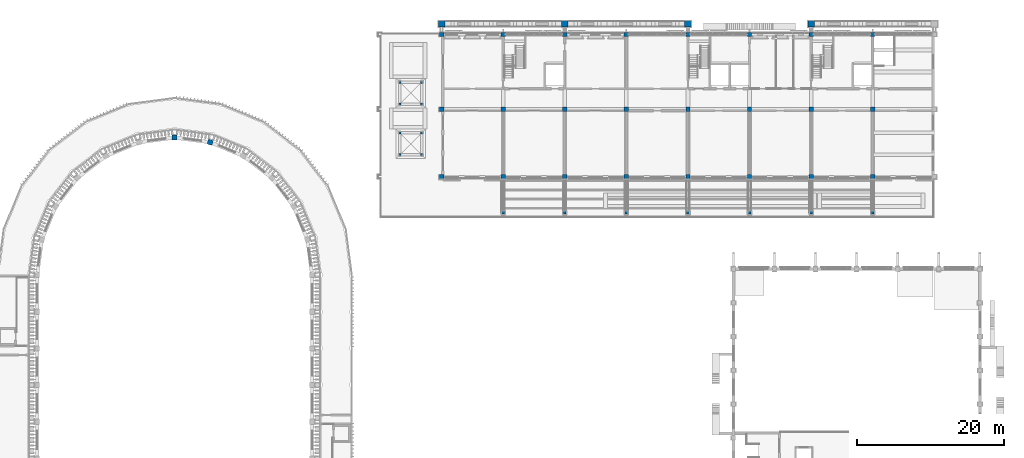
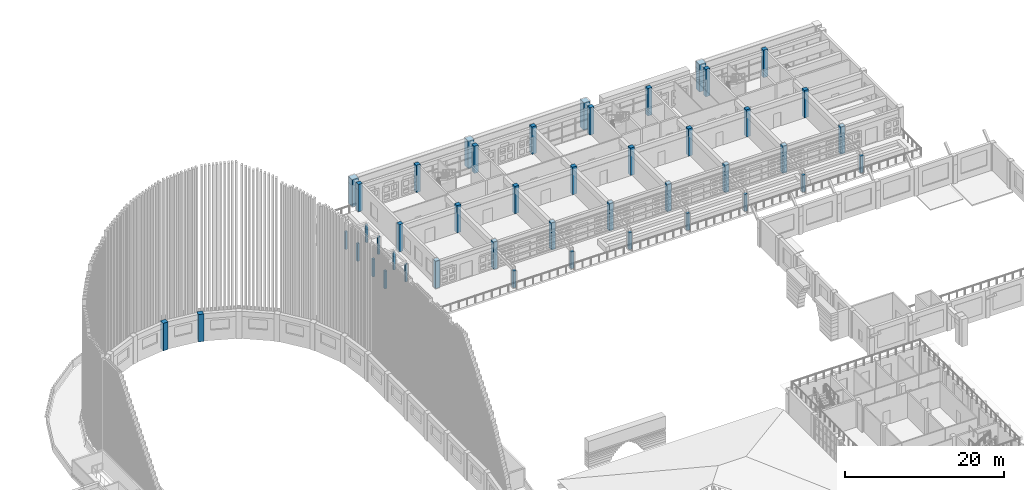
# One storey, part 2 of 68: 45 columns.
"""IFC4 building model written with IfcOpenShell, lengths in metres."""

from ifc_helpers import new_model, si_unit, direction, frame, origin, origin_2d, place, context, subcontext, project, spatial, rectangle, extrude, material, material_profile, profile_set, type_object, element, save


model = new_model("IFC4")

# Units and contexts
model_context = context("Model", 3, precision=1e-05, world=origin(), true_north=direction((0.0, 1.0)))
body_context = subcontext(model_context, "Body", "Model", "MODEL_VIEW")
ifc_project = project(units=[si_unit("LENGTHUNIT", "METRE"), si_unit("AREAUNIT", "SQUARE_METRE"), si_unit("VOLUMEUNIT", "CUBIC_METRE"), si_unit("PLANEANGLEUNIT", "RADIAN"), si_unit("MASSUNIT", "GRAM", prefix="KILO")], contexts=[model_context])

# Site, building, storey
site_placement = place(None, origin())
site = spatial("IfcSite", under=ifc_project, at=site_placement, CompositionType="ELEMENT")
building_placement = place(site_placement, origin())
building = spatial("IfcBuilding", under=site, at=building_placement, Name="Wasatch Bagh Community Centre", CompositionType="ELEMENT")
storey_placement = place(building_placement, frame((0.0, 0.0, 8.39990234375)))
storey = spatial("IfcBuildingStorey", under=building, at=storey_placement, Name="L02", CompositionType="ELEMENT", Elevation=8.39990234375)

# Columns
ifc_material_1 = material(Name="Concrete C40", Category="concrete")
ifc_material_profile_1 = material_profile(ifc_material_1, rectangle(XDim=0.89990234375, YDim=0.89990234375, at=origin_2d()), Name="RC 900x900")
ifc_profile_set_1 = profile_set([ifc_material_profile_1], Name="Concrete C40")
column_type_1 = type_object("IfcColumnType", Name="CL-P1", PredefinedType="COLUMN", material=ifc_profile_set_1)
for number, where, z_axis, x_axis, name in (
    (1, (72.39990234375, 99.25, 0.0), (0.0, 0.0, 1.0), (1.0, 0.0, 0.0), "CL-P1 pier LWP02"),
    (2, (89.199951171875, 99.25, 0.0), (0.0, 0.0, 1.0), (1.0, 0.0, 0.0), "CL-P1 pier LWP03"),
    (3, (106.0, 99.25, 0.0), (0.0, 0.0, 1.0), (1.0, 0.0, 0.0), "CL-P1 pier LWP04"),
    (4, (122.800048828125, 99.25, 0.0), (0.0, 0.0, 1.0), (1.0, 0.0, 0.0), "CL-P1 pier LWP05"),
):
    element("IfcColumn", number, at=place(storey_placement, frame(where, z_axis=z_axis, x_axis=x_axis)), inside=storey, type_object=column_type_1, Name=name, PredefinedType="COLUMN", context=body_context, shape_type="SweptSolid", body=[
        extrude(rectangle(XDim=0.89990234375, YDim=0.89990234375, at=origin_2d()), origin(), (0.0, 0.0, 1.0), 4.2001953125),
    ])
ifc_material_profile_2 = material_profile(ifc_material_1, rectangle(XDim=0.39990234375, YDim=0.39990234375, at=origin_2d()), Name="RC 400x400")
ifc_profile_set_2 = profile_set([ifc_material_profile_2], Name="Concrete C40")
column_type_2 = type_object("IfcColumnType", Name="LW RC 400x400", PredefinedType="COLUMN", material=ifc_profile_set_2)
for number, where, z_axis, x_axis, name in (
    (5, (80.800048828125, 73.5, 0.0), (0.0, 0.0, 1.0), (1.0, 0.0, 0.0), "Pergola post T2"),
    (6, (89.199951171875, 73.5, 0.0), (0.0, 0.0, 1.0), (1.0, 0.0, 0.0), "Pergola post T2"),
    (7, (97.60009765625, 73.5, 0.0), (0.0, 0.0, 1.0), (1.0, 0.0, 0.0), "Pergola post T2"),
    (8, (106.0, 73.5, 0.0), (0.0, 0.0, 1.0), (1.0, 0.0, 0.0), "Pergola post T2"),
    (9, (114.39990234375, 73.5, 0.0), (0.0, 0.0, 1.0), (1.0, 0.0, 0.0), "Pergola post T2"),
    (10, (122.800048828125, 73.5, 0.0), (0.0, 0.0, 1.0), (1.0, 0.0, 0.0), "Pergola post T2"),
    (11, (131.199951171875, 73.5, 0.0), (0.0, 0.0, 1.0), (1.0, 0.0, 0.0), "Pergola post T2"),
):
    element("IfcColumn", number, at=place(storey_placement, frame(where, z_axis=z_axis, x_axis=x_axis)), inside=storey, type_object=column_type_2, Name=name, PredefinedType="COLUMN", context=body_context, shape_type="SweptSolid", body=[
        extrude(rectangle(XDim=0.39990234375, YDim=0.39990234375, at=origin_2d()), origin(), (0.0, 0.0, 1.0), 2.60009765625),
    ])
ifc_material_profile_3 = material_profile(ifc_material_1, rectangle(XDim=0.60009765625, YDim=0.60009765625, at=origin_2d()), Name="RC 600x600")
ifc_profile_set_3 = profile_set([ifc_material_profile_3], Name="Concrete C40")
column_type_3 = type_object("IfcColumnType", Name="LW RC 600x600", PredefinedType="COLUMN", material=ifc_profile_set_3)
for number, where, z_axis, x_axis, name in (
    (12, (72.39990234375, 87.60009765625, 0.0), (0.0, 0.0, 1.0), (1.0, 0.0, 0.0), "W2M"),
    (13, (80.800048828125, 87.60009765625, 0.0), (0.0, 0.0, 1.0), (1.0, 0.0, 0.0), "W3M"),
    (14, (89.199951171875, 87.60009765625, 0.0), (0.0, 0.0, 1.0), (1.0, 0.0, 0.0), "W4M"),
    (15, (97.60009765625, 87.60009765625, 0.0), (0.0, 0.0, 1.0), (1.0, 0.0, 0.0), "W5M"),
    (16, (106.0, 87.60009765625, 0.0), (0.0, 0.0, 1.0), (1.0, 0.0, 0.0), "W6M"),
    (17, (114.39990234375, 87.60009765625, 0.0), (0.0, 0.0, 1.0), (1.0, 0.0, 0.0), "W7M"),
    (18, (122.800048828125, 87.60009765625, 0.0), (0.0, 0.0, 1.0), (1.0, 0.0, 0.0), "W8M"),
    (19, (131.199951171875, 87.60009765625, 0.0), (0.0, 0.0, 1.0), (1.0, 0.0, 0.0), "W9M"),
    (20, (72.39990234375, 97.800048828125, 0.0), (0.0, 0.0, 1.0), (1.0, 0.0, 0.0), "W2N"),
    (21, (80.800048828125, 97.800048828125, 0.0), (0.0, 0.0, 1.0), (1.0, 0.0, 0.0), "W3N"),
    (22, (89.199951171875, 97.800048828125, 0.0), (0.0, 0.0, 1.0), (1.0, 0.0, 0.0), "W4N"),
    (23, (97.60009765625, 97.800048828125, 0.0), (0.0, 0.0, 1.0), (1.0, 0.0, 0.0), "W5N"),
    (24, (106.0, 97.800048828125, 0.0), (0.0, 0.0, 1.0), (1.0, 0.0, 0.0), "W6N"),
    (25, (114.39990234375, 97.800048828125, 0.0), (0.0, 0.0, 1.0), (1.0, 0.0, 0.0), "W7N"),
    (26, (122.800048828125, 97.800048828125, 0.0), (0.0, 0.0, 1.0), (1.0, 0.0, 0.0), "W8N"),
    (27, (131.199951171875, 97.800048828125, 0.0), (0.0, 0.0, 1.0), (1.0, 0.0, 0.0), "W9N"),
    (28, (72.39990234375, 78.39990234375, 0.0), (0.0, 0.0, 1.0), (1.0, 0.0, 0.0), "W2S"),
    (29, (80.800048828125, 78.39990234375, 0.0), (0.0, 0.0, 1.0), (1.0, 0.0, 0.0), "W3S"),
    (30, (89.199951171875, 78.39990234375, 0.0), (0.0, 0.0, 1.0), (1.0, 0.0, 0.0), "W4S"),
    (31, (97.60009765625, 78.39990234375, 0.0), (0.0, 0.0, 1.0), (1.0, 0.0, 0.0), "W5S"),
    (32, (106.0, 78.39990234375, 0.0), (0.0, 0.0, 1.0), (1.0, 0.0, 0.0), "W6S"),
    (33, (114.39990234375, 78.39990234375, 0.0), (0.0, 0.0, 1.0), (1.0, 0.0, 0.0), "W7S"),
    (34, (122.800048828125, 78.39990234375, 0.0), (0.0, 0.0, 1.0), (1.0, 0.0, 0.0), "W8S"),
    (35, (131.199951171875, 78.39990234375, 0.0), (0.0, 0.0, 1.0), (1.0, 0.0, 0.0), "W9S"),
):
    element("IfcColumn", number, at=place(storey_placement, frame(where, z_axis=z_axis, x_axis=x_axis)), inside=storey, type_object=column_type_3, Name=name, PredefinedType="COLUMN", context=body_context, shape_type="SweptSolid", body=[
        extrude(rectangle(XDim=0.60009765625, YDim=0.60009765625, at=origin_2d()), origin(), (0.0, 0.0, 1.0), 4.2001953125),
    ])
ifc_material_2 = material(Name="Concrete C35", Category="concrete")
ifc_material_profile_4 = material_profile(ifc_material_2, rectangle(XDim=0.300048828125, YDim=0.300048828125, at=origin_2d()), Name="RC 300x300")
ifc_profile_set_4 = profile_set([ifc_material_profile_4], Name="Concrete C35")
column_type_4 = type_object("IfcColumnType", Name="LW pavilion column 300", PredefinedType="COLUMN", material=ifc_profile_set_4)
for number, where, z_axis, x_axis, name in (
    (36, (66.699951171875, 81.39990234375, 0.0), (0.0, 0.0, 1.0), (1.0, 0.0, 0.0), "Shade pavilion 1 column"),
    (37, (66.699951171875, 84.39990234375, 0.0), (0.0, 0.0, 1.0), (1.0, 0.0, 0.0), "Shade pavilion 1 column"),
    (38, (69.699951171875, 81.39990234375, 0.0), (0.0, 0.0, 1.0), (1.0, 0.0, 0.0), "Shade pavilion 1 column"),
    (39, (69.699951171875, 84.39990234375, 0.0), (0.0, 0.0, 1.0), (1.0, 0.0, 0.0), "Shade pavilion 1 column"),
    (40, (66.699951171875, 88.300048828125, 0.0), (0.0, 0.0, 1.0), (1.0, 0.0, 0.0), "Shade pavilion 2 column"),
    (41, (66.699951171875, 91.300048828125, 0.0), (0.0, 0.0, 1.0), (1.0, 0.0, 0.0), "Shade pavilion 2 column"),
    (42, (69.699951171875, 88.300048828125, 0.0), (0.0, 0.0, 1.0), (1.0, 0.0, 0.0), "Shade pavilion 2 column"),
    (43, (69.699951171875, 91.300048828125, 0.0), (0.0, 0.0, 1.0), (1.0, 0.0, 0.0), "Shade pavilion 2 column"),
):
    element("IfcColumn", number, at=place(storey_placement, frame(where, z_axis=z_axis, x_axis=x_axis)), inside=storey, type_object=column_type_4, Name=name, PredefinedType="COLUMN", context=body_context, shape_type="SweptSolid", body=[
        extrude(rectangle(XDim=0.300048828125, YDim=0.300048828125, at=origin_2d()), origin(), (0.0, 0.0, 1.0), 2.7001953125),
    ])
ifc_material_profile_5 = material_profile(ifc_material_1, rectangle(XDim=0.699951171875, YDim=0.699951171875, at=origin_2d()), Name="RC 700x700")
ifc_profile_set_5 = profile_set([ifc_material_profile_5], Name="Concrete C40")
column_type_5 = type_object("IfcColumnType", Name="MH column RC 700x700", PredefinedType="COLUMN", material=ifc_profile_set_5)
for number, where, z_axis, x_axis, name in (
    (44, (40.852783203125, 83.111083984375, 0.0), (0.0, 0.0, 1.0), (0.258819045103, 0.965925826289, 0.0), "Column N5"),
    (45, (36.0, 83.75, 0.0), (0.0, 0.0, 1.0), (1.0, 0.0, 0.0), "Column N6"),
):
    element("IfcColumn", number, at=place(storey_placement, frame(where, z_axis=z_axis, x_axis=x_axis)), inside=storey, type_object=column_type_5, Name=name, PredefinedType="COLUMN", context=body_context, shape_type="SweptSolid", body=[
        extrude(rectangle(XDim=0.699951171875, YDim=0.699951171875, at=origin_2d()), origin(), (0.0, 0.0, 1.0), 4.2001953125),
    ])

save(model, "model.ifc")
